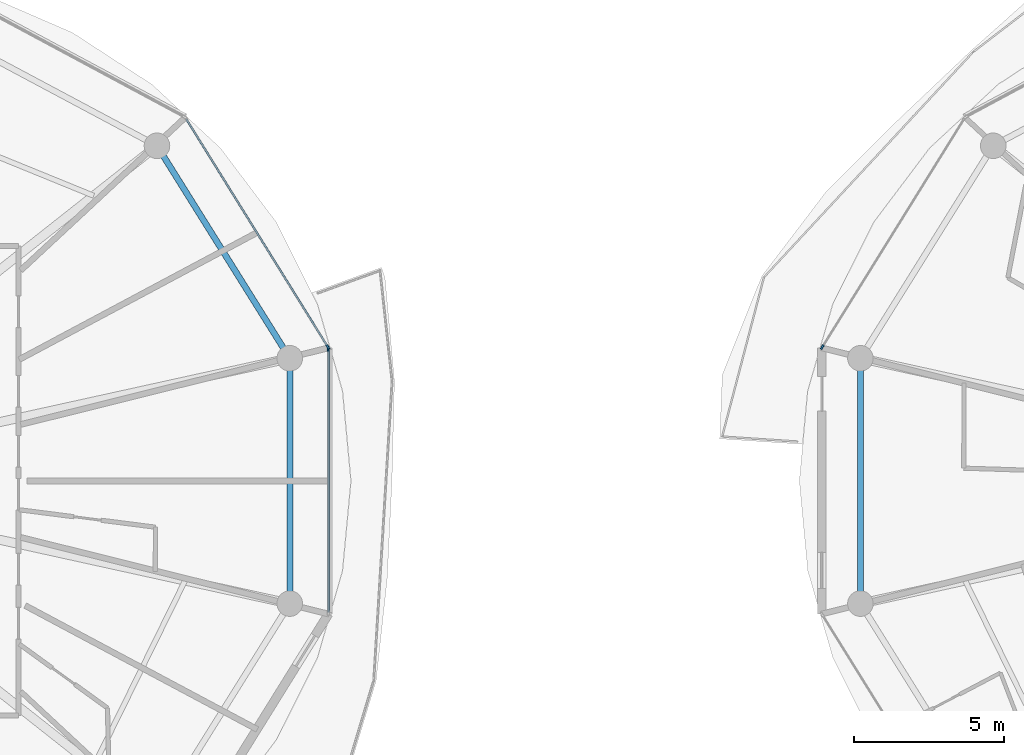
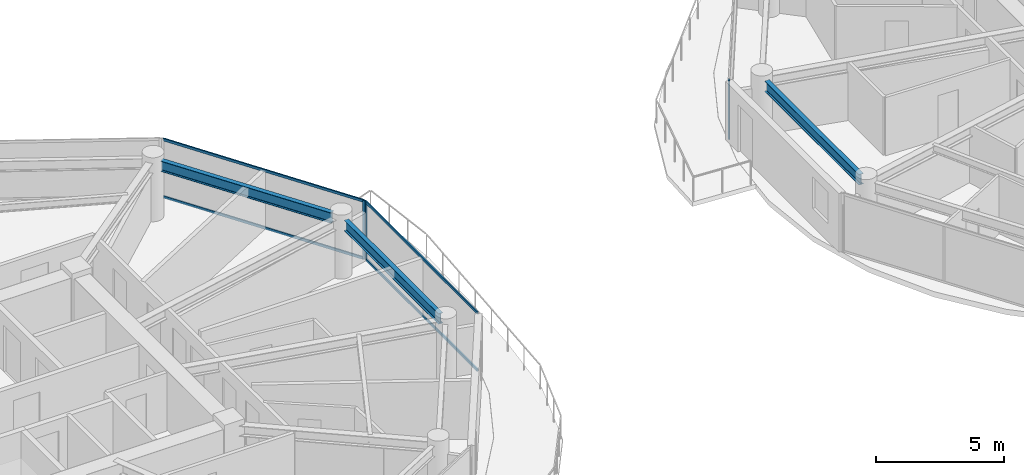
# One storey, part 7 of 22: 7 members, 3 beams, 3 elements without a shape of their own.
"""IFC4 building model written with IfcOpenShell, lengths in metres."""

from ifc_helpers import new_model, si_unit, direction, frame, origin, origin_2d, place, context, subcontext, project, spatial, rectangle, i_section, extrude, source, transform, mapped, material, layer, layer_set, material_profile, profile_set, type_object, type_shapes, element, aggregate, save


model = new_model("IFC4")

# Units and contexts
model_context = context("Model", 3, precision=1e-05, world=origin(), true_north=direction((0.0, 1.0)))
body_context = subcontext(model_context, "Body", "Model", "MODEL_VIEW")
ifc_project = project(units=[si_unit("LENGTHUNIT", "METRE"), si_unit("AREAUNIT", "SQUARE_METRE"), si_unit("VOLUMEUNIT", "CUBIC_METRE"), si_unit("PLANEANGLEUNIT", "RADIAN"), si_unit("MASSUNIT", "GRAM", prefix="KILO")], contexts=[model_context])

# Site, building, storey
site_placement = place(None, origin())
site = spatial("IfcSite", under=ifc_project, at=site_placement, CompositionType="ELEMENT")
building_placement = place(site_placement, origin())
building = spatial("IfcBuilding", under=site, at=building_placement, Name="Norrkilde Senior Care Towers", CompositionType="ELEMENT")
storey_placement = place(building_placement, frame((0.0, 0.0, 120.64990234375)))
storey = spatial("IfcBuildingStorey", under=building, at=storey_placement, Name="L37", CompositionType="ELEMENT", Elevation=120.64990234375)

# Beams
ifc_material_1 = material(Name="Steel S355", Category="steel")
ifc_material_profile_1 = material_profile(ifc_material_1, i_section(OverallWidth=0.199951171875, OverallDepth=0.5, WebThickness=0.01025390625, FlangeThickness=0.01611328125, FilletRadius=0.02099609375, at=origin_2d()), Name="IPE 500")
ifc_profile_set_1 = profile_set([ifc_material_profile_1], Name="Steel S355")
beam_type = type_object("IfcBeamType", Name="Perimeter Ring Spandrel Z2 IPE500", PredefinedType="SPANDREL", material=ifc_profile_set_1)
shared_shape_1 = source(origin(), body_context, "Body", "SweptSolid", [
    extrude(i_section(OverallWidth=0.199951171875, OverallDepth=0.5, WebThickness=0.01025390625, FlangeThickness=0.01611328125, FilletRadius=0.02099609375, at=origin_2d()), origin(), (0.0, 0.0, 1.0), 7.55615234375),
])
beam_placement = place(storey_placement, frame((-9.68505859375, 4.40283203125, 2.5400390625), z_axis=(-0.529981514254, 0.848009194849, 0.0), x_axis=(-0.848009194849, -0.529981514254, 0.0)))
element("IfcBeam", 1, at=beam_placement, inside=storey, type_object=beam_type, Name="L37 Drum W Perimeter Spandrel 01", PredefinedType="SPANDREL", context=body_context, shape_type="MappedRepresentation", body=[
    mapped(shared_shape_1, transform((0.0, 0.0, 0.0), x_axis=(1.0, 0.0, 0.0), y_axis=(0.0, 1.0, 0.0), z_axis=(0.0, 0.0, 1.0), scale=1.0)),
])
shared_shape_2 = source(origin(), body_context, "Body", "SweptSolid", [
    extrude(i_section(OverallWidth=0.199951171875, OverallDepth=0.5, WebThickness=0.01025390625, FlangeThickness=0.01611328125, FilletRadius=0.02099609375, at=origin_2d()), origin(), (0.0, 0.0, 1.0), 7.3828125),
])
type_shapes(beam_type, [shared_shape_1, shared_shape_2])
for number, where, z_axis, x_axis, name in (
    (2, (-9.48095703125, -3.69140625, 2.5400390625), (0.0, 1.0, 0.0), (-1.0, 0.0, 0.0), "L37 Drum W Perimeter Spandrel 12"),
    (3, (9.48095703125, 3.69140625, 2.5400390625), (0.0, -1.0, 0.0), (1.0, 0.0, 0.0), "L37 Drum E Perimeter Spandrel 06"),
):
    element("IfcBeam", number, at=place(storey_placement, frame(where, z_axis=z_axis, x_axis=x_axis)), inside=storey, type_object=beam_type, Name=name, PredefinedType="SPANDREL", context=body_context, shape_type="MappedRepresentation", body=[
        mapped(shared_shape_2, transform((0.0, 0.0, 0.0), x_axis=(1.0, 0.0, 0.0), y_axis=(0.0, 1.0, 0.0), z_axis=(0.0, 0.0, 1.0), scale=1.0)),
    ])

# Curtain wall, member
ifc_material_2 = material(Name="Triple Low-E Insulated Glazing", Category="glass")
ifc_layer = layer(ifc_material_2, 0.195068359375)
ifc_layer_set = layer_set([ifc_layer], Name="Triple Low-E Insulated Glazing")
curtain_wall_type = type_object("IfcCurtainWallType", Name="CW3 Zone 2 Assisted Living Curtain Wall", PredefinedType="NOTDEFINED", material=ifc_layer_set)
curtain_wall_1_placement = place(storey_placement, origin())
curtain_wall_1 = element("IfcCurtainWall", 4, at=curtain_wall_1_placement, inside=storey, type_object=curtain_wall_type, Name="L37 Drum W Curtain Wall 00", PredefinedType="NOTDEFINED")
ifc_material_3 = material(Name="Anodised Aluminium", Category="aluminium")
ifc_material_profile_2 = material_profile(ifc_material_3, rectangle(XDim=0.06494140625, YDim=0.159912109375, at=origin_2d()), Name="ALU MULL 65x160")
ifc_profile_set_2 = profile_set([ifc_material_profile_2], Name="Anodised Aluminium")
member_type_1 = type_object("IfcMemberType", Name="Curtain Wall Mullion Z1-Z2 65x160", PredefinedType="MULLION", material=ifc_profile_set_2)
shared_shape_3 = source(origin(), body_context, "Body", "SweptSolid", [
    extrude(rectangle(XDim=0.06494140625, YDim=0.159912109375, at=origin_2d()), origin(), (0.0, 0.0, 1.0), 2.7900390625),
])
type_shapes(member_type_1, [shared_shape_3])
member_1_placement = place(storey_placement, frame((-8.21337890625, 4.4482421875, 0.0), z_axis=(0.0, 0.0, 1.0), x_axis=(0.849410171862, 0.527733228002, 0.0)))
member_1 = element("IfcMember", 5, at=member_1_placement, type_object=member_type_1, Name="CW-3 mullion 2", PredefinedType="MULLION", context=body_context, shape_type="MappedRepresentation", body=[
    mapped(shared_shape_3, transform((0.0, 0.0, 0.0), x_axis=(1.0, 0.0, 0.0), y_axis=(0.0, 1.0, 0.0), z_axis=(0.0, 0.0, 1.0), scale=1.0)),
])

curtain_wall_2_placement = place(storey_placement, origin())
curtain_wall_2 = element("IfcCurtainWall", 6, at=curtain_wall_2_placement, inside=storey, type_object=curtain_wall_type, Name="L37 Drum W Curtain Wall 11", PredefinedType="NOTDEFINED")
member_2_placement = place(storey_placement, frame((-8.1962890625, 4.38818359375, 0.0), z_axis=(0.0, 0.0, 1.0), x_axis=(1.0, 0.0, 0.0)))
member_2 = element("IfcMember", 7, at=member_2_placement, type_object=member_type_1, Name="CW-3 mullion 1", PredefinedType="MULLION", context=body_context, shape_type="MappedRepresentation", body=[
    mapped(shared_shape_3, transform((0.0, 0.0, 0.0), x_axis=(1.0, 0.0, 0.0), y_axis=(0.0, 1.0, 0.0), z_axis=(0.0, 0.0, 1.0), scale=1.0)),
])

curtain_wall_3_placement = place(storey_placement, origin())
curtain_wall_3 = element("IfcCurtainWall", 8, at=curtain_wall_3_placement, inside=storey, type_object=curtain_wall_type, Name="L37 Drum E Curtain Wall 04", PredefinedType="NOTDEFINED")
member_3_placement = place(storey_placement, frame((8.21337890625, 4.4482421875, 0.0), z_axis=(0.0, 0.0, 1.0), x_axis=(-0.849410171862, 0.527733228002, 0.0)))
member_3 = element("IfcMember", 9, at=member_3_placement, type_object=member_type_1, Name="CW-3 mullion 1", PredefinedType="MULLION", context=body_context, shape_type="MappedRepresentation", body=[
    mapped(shared_shape_3, transform((0.0, 0.0, 0.0), x_axis=(1.0, 0.0, 0.0), y_axis=(0.0, 1.0, 0.0), z_axis=(0.0, 0.0, 1.0), scale=1.0)),
])
aggregate(curtain_wall_3, [member_3])

# Member
ifc_material_profile_3 = material_profile(ifc_material_3, rectangle(XDim=0.06005859375, YDim=0.1201171875, at=origin_2d()), Name="ALU TRAN 60x120")
ifc_profile_set_3 = profile_set([ifc_material_profile_3], Name="Anodised Aluminium")
member_type_2 = type_object("IfcMemberType", Name="Curtain Wall Transom Typical 60x120", PredefinedType="USERDEFINED", material=ifc_profile_set_3)
shared_shape_4 = source(origin(), body_context, "Body", "SweptSolid", [
    extrude(rectangle(XDim=0.06005859375, YDim=0.1201171875, at=origin_2d()), origin(), (0.0, 0.0, 1.0), 8.88427734375),
])
member_4_placement = place(storey_placement, frame((-12.919189453125, 12.022216796875, 0.030029296875), z_axis=(0.527749293309, -0.849400190377, 0.0), x_axis=(0.849400190377, 0.527749293309, 0.0)))
member_4 = element("IfcMember", 10, at=member_4_placement, type_object=member_type_2, Name="CW-3 transom 1.1", ObjectType="TRANSOM", PredefinedType="USERDEFINED", context=body_context, shape_type="MappedRepresentation", body=[
    mapped(shared_shape_4, transform((0.0, 0.0, 0.0), x_axis=(1.0, 0.0, 0.0), y_axis=(0.0, 1.0, 0.0), z_axis=(0.0, 0.0, 1.0), scale=1.0)),
])

member_5_placement = place(storey_placement, frame((-12.919189453125, 12.022216796875, 2.760009765625), z_axis=(0.527749293309, -0.849400190377, 0.0), x_axis=(0.849400190377, 0.527749293309, 0.0)))
member_5 = element("IfcMember", 11, at=member_5_placement, type_object=member_type_2, Name="CW-3 transom 1.2", ObjectType="TRANSOM", PredefinedType="USERDEFINED", context=body_context, shape_type="MappedRepresentation", body=[
    mapped(shared_shape_4, transform((0.0, 0.0, 0.0), x_axis=(1.0, 0.0, 0.0), y_axis=(0.0, 1.0, 0.0), z_axis=(0.0, 0.0, 1.0), scale=1.0)),
])

aggregate(curtain_wall_1, [member_1, member_4, member_5])

shared_shape_5 = source(origin(), body_context, "Body", "SweptSolid", [
    extrude(rectangle(XDim=0.06005859375, YDim=0.1201171875, at=origin_2d()), origin(), (0.0, 0.0, 1.0), 8.71142578125),
])
type_shapes(member_type_2, [shared_shape_4, shared_shape_5])
member_6_placement = place(storey_placement, frame((-8.1962890625, 4.355712890625, 0.030029296875), z_axis=(0.0, -1.0, 0.0), x_axis=(1.0, 0.0, 0.0)))
member_6 = element("IfcMember", 12, at=member_6_placement, type_object=member_type_2, Name="CW-3 transom 1.1", ObjectType="TRANSOM", PredefinedType="USERDEFINED", context=body_context, shape_type="MappedRepresentation", body=[
    mapped(shared_shape_5, transform((0.0, 0.0, 0.0), x_axis=(1.0, 0.0, 0.0), y_axis=(0.0, 1.0, 0.0), z_axis=(0.0, 0.0, 1.0), scale=1.0)),
])

member_7_placement = place(storey_placement, frame((-8.1962890625, 4.355712890625, 2.760009765625), z_axis=(0.0, -1.0, 0.0), x_axis=(1.0, 0.0, 0.0)))
member_7 = element("IfcMember", 13, at=member_7_placement, type_object=member_type_2, Name="CW-3 transom 1.2", ObjectType="TRANSOM", PredefinedType="USERDEFINED", context=body_context, shape_type="MappedRepresentation", body=[
    mapped(shared_shape_5, transform((0.0, 0.0, 0.0), x_axis=(1.0, 0.0, 0.0), y_axis=(0.0, 1.0, 0.0), z_axis=(0.0, 0.0, 1.0), scale=1.0)),
])

aggregate(curtain_wall_2, [member_2, member_6, member_7])

save(model, "model.ifc")
